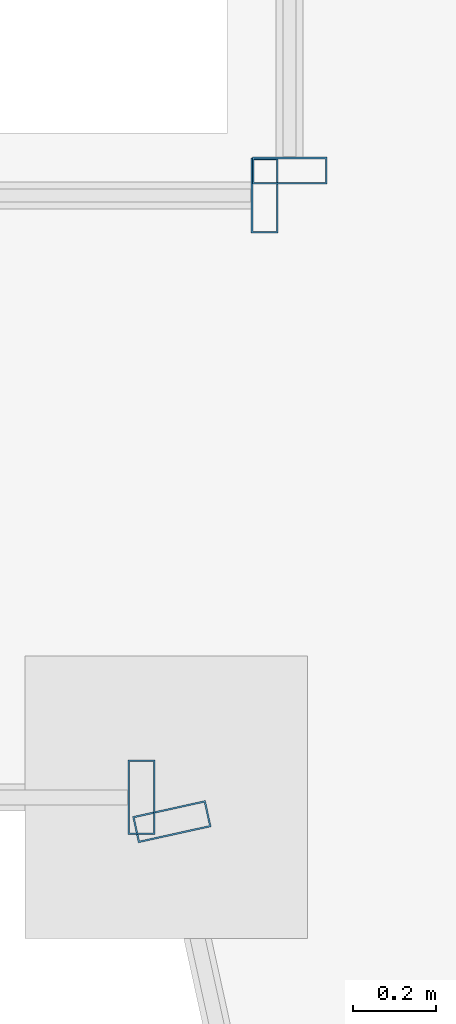
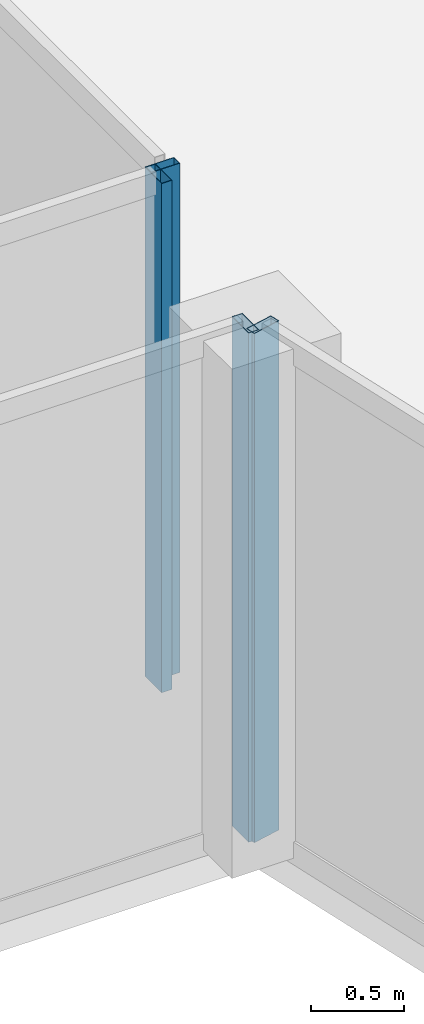
# One storey, part 8 of 35: 4 members, 4 elements without a shape of their own.
"""IFC4 building model written with IfcOpenShell, lengths in metres."""

from ifc_helpers import new_model, si_unit, direction, frame, origin, origin_2d, place, context, subcontext, project, spatial, hollow_rectangle, extrude, material, material_profile, profile_set, type_object, element, aggregate, save


model = new_model("IFC4")

# Units and contexts
model_context = context("Model", 3, precision=1e-05, world=origin(), true_north=direction((0.0, 1.0)))
body_context = subcontext(model_context, "Body", "Model", "MODEL_VIEW")
ifc_project = project(units=[si_unit("LENGTHUNIT", "METRE"), si_unit("AREAUNIT", "SQUARE_METRE"), si_unit("VOLUMEUNIT", "CUBIC_METRE"), si_unit("PLANEANGLEUNIT", "RADIAN"), si_unit("MASSUNIT", "GRAM", prefix="KILO")], contexts=[model_context])

# Site, building, storey
site_placement = place(None, origin())
site = spatial("IfcSite", under=ifc_project, at=site_placement, CompositionType="ELEMENT")
building_placement = place(site_placement, origin())
building = spatial("IfcBuilding", under=site, at=building_placement, Name="Saevonmaru Cultural Tower", CompositionType="ELEMENT")
storey_placement = place(building_placement, frame((0.0, 0.0, 249.60009765625)))
storey = spatial("IfcBuildingStorey", under=building, at=storey_placement, Name="L58", CompositionType="ELEMENT", Elevation=249.60009765625)

# Curtain wall, member
ifc_material = material(Name="Satin Bronze Anodised Aluminium", Category="aluminium")
curtain_wall_type_1 = type_object("IfcCurtainWallType", Name="CW-TYP-B", PredefinedType="NOTDEFINED", material=ifc_material)
curtain_wall_1_placement = place(storey_placement, origin())
curtain_wall_1 = element("IfcCurtainWall", 1, at=curtain_wall_1_placement, inside=storey, type_object=curtain_wall_type_1, Name="L58 Unitised Curtain Wall E4", PredefinedType="NOTDEFINED")
ifc_material_profile_1 = material_profile(ifc_material, hollow_rectangle(XDim=0.06494140625, YDim=0.179931640625, WallThickness=0.00390625, at=origin_2d()), Name="ALU-MULL-180x65x4")
ifc_profile_set_1 = profile_set([ifc_material_profile_1], Name="Satin Bronze Anodised Aluminium")
member_type_1 = type_object("IfcMemberType", Name="ML-CW-180x65", PredefinedType="MULLION", material=ifc_profile_set_1)
member_1_placement = place(storey_placement, frame((35.59326171875, 31.199951171875, 0.0), z_axis=(0.0, 0.0, 1.0), x_axis=(1.0, 0.0, 0.0)))
member_1 = element("IfcMember", 2, at=member_1_placement, type_object=member_type_1, Name="CW-TW-L58-E4 mullion 2", PredefinedType="MULLION", context=body_context, shape_type="SweptSolid", body=[
    extrude(hollow_rectangle(XDim=0.06494140625, YDim=0.179931640625, WallThickness=0.00390625, at=origin_2d()), origin(), (0.0, 0.0, 1.0), 3.349853515625),
])
aggregate(curtain_wall_1, [member_1])

curtain_wall_2_placement = place(storey_placement, origin())
curtain_wall_2 = element("IfcCurtainWall", 3, at=curtain_wall_2_placement, inside=storey, type_object=curtain_wall_type_1, Name="L58 Unitised Curtain Wall E5", PredefinedType="NOTDEFINED")
member_2_placement = place(storey_placement, frame((35.666259765625, 31.141357421875, 0.0), z_axis=(0.0, 0.0, 1.0), x_axis=(0.215413319953, -0.976522965212, 0.0)))
member_2 = element("IfcMember", 4, at=member_2_placement, type_object=member_type_1, Name="CW-TW-L58-E5 mullion 1", PredefinedType="MULLION", context=body_context, shape_type="SweptSolid", body=[
    extrude(hollow_rectangle(XDim=0.06494140625, YDim=0.179931640625, WallThickness=0.00390625, at=origin_2d()), origin(), (0.0, 0.0, 1.0), 3.349853515625),
])
aggregate(curtain_wall_2, [member_2])

curtain_wall_type_2 = type_object("IfcCurtainWallType", Name="CW-ATR-GLZ", PredefinedType="NOTDEFINED", material=ifc_material)
curtain_wall_3_placement = place(storey_placement, origin())
curtain_wall_3 = element("IfcCurtainWall", 5, at=curtain_wall_3_placement, inside=storey, type_object=curtain_wall_type_2, Name="L58 Vertical Atrium Glazed Smoke Screen 1", PredefinedType="NOTDEFINED")
ifc_material_profile_2 = material_profile(ifc_material, hollow_rectangle(XDim=0.06494140625, YDim=0.179931640625, WallThickness=0.00390625, at=origin_2d()), Name="ALU-MULL-180x65x4")
ifc_profile_set_2 = profile_set([ifc_material_profile_2], Name="Satin Bronze Anodised Aluminium")
member_type_2 = type_object("IfcMemberType", Name="ML-CW-INT-180x65", PredefinedType="MULLION", material=ifc_profile_set_2)
member_3_placement = place(storey_placement, frame((35.889892578125, 32.64990234375, 0.0), z_axis=(0.0, 0.0, 1.0), x_axis=(1.0, 0.0, 0.0)))
member_3 = element("IfcMember", 6, at=member_3_placement, type_object=member_type_2, Name="CW-ATR-L58-1 mullion 2", PredefinedType="MULLION", context=body_context, shape_type="SweptSolid", body=[
    extrude(hollow_rectangle(XDim=0.06494140625, YDim=0.179931640625, WallThickness=0.00390625, at=origin_2d()), origin(), (0.0, 0.0, 1.0), 3.349853515625),
])
aggregate(curtain_wall_3, [member_3])

curtain_wall_4_placement = place(storey_placement, origin())
curtain_wall_4 = element("IfcCurtainWall", 7, at=curtain_wall_4_placement, inside=storey, type_object=curtain_wall_type_2, Name="L58 Vertical Atrium Glazed Smoke Screen 2", PredefinedType="NOTDEFINED")
member_4_placement = place(storey_placement, frame((35.949951171875, 32.7099609375, 0.0), z_axis=(0.0, 0.0, 1.0), x_axis=(0.0, 1.0, 0.0)))
member_4 = element("IfcMember", 8, at=member_4_placement, type_object=member_type_2, Name="CW-ATR-L58-2 mullion 1", PredefinedType="MULLION", context=body_context, shape_type="SweptSolid", body=[
    extrude(hollow_rectangle(XDim=0.06494140625, YDim=0.179931640625, WallThickness=0.00390625, at=origin_2d()), origin(), (0.0, 0.0, 1.0), 3.349853515625),
])
aggregate(curtain_wall_4, [member_4])

save(model, "model.ifc")
